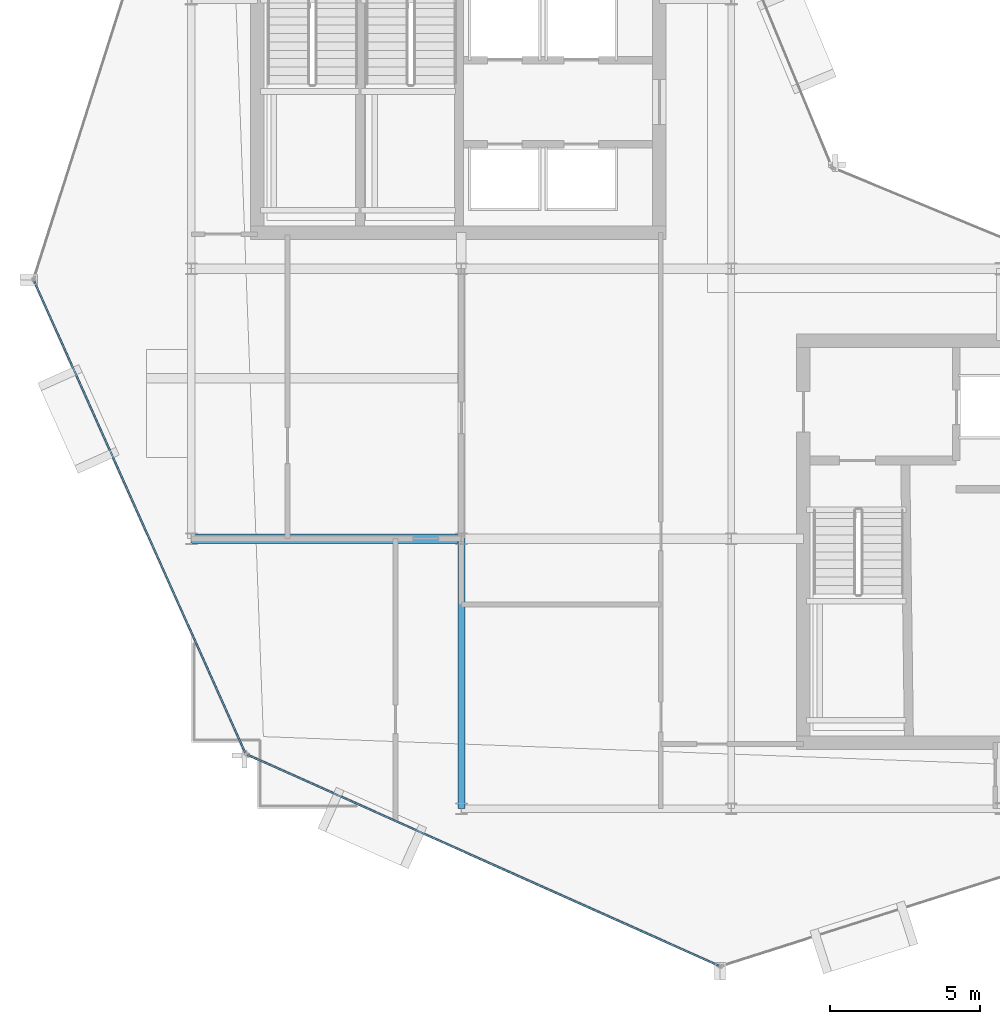
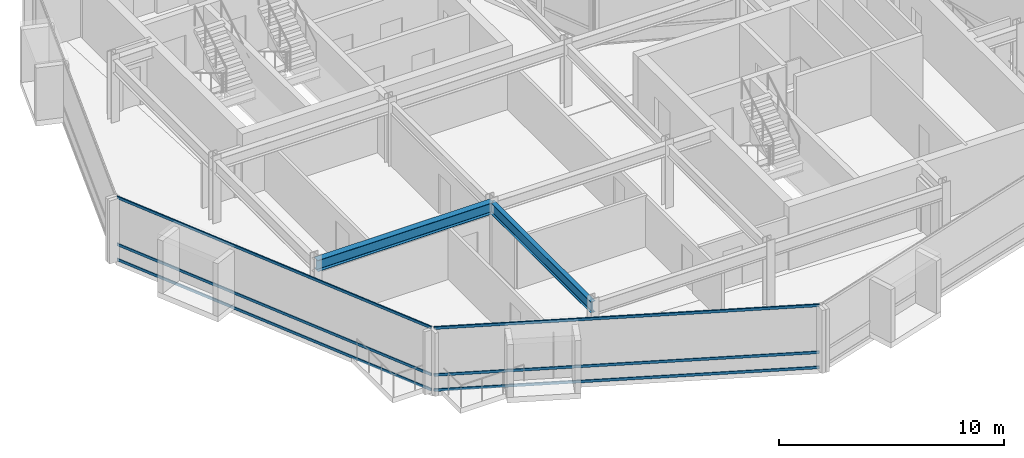
# One storey, part 3 of 19: 6 members, 2 beams, 2 elements without a shape of their own.
"""IFC4 building model written with IfcOpenShell, lengths in metres."""

from ifc_helpers import new_model, si_unit, direction, frame, origin, origin_2d, place, context, subcontext, project, spatial, hollow_rectangle, i_section, extrude, material, layer, layer_set, material_profile, profile_set, type_object, element, aggregate, save


model = new_model("IFC4")

# Units and contexts
model_context = context("Model", 3, precision=1e-05, world=origin(), true_north=direction((0.0, 1.0)))
body_context = subcontext(model_context, "Body", "Model", "MODEL_VIEW")
ifc_project = project(units=[si_unit("LENGTHUNIT", "METRE"), si_unit("AREAUNIT", "SQUARE_METRE"), si_unit("VOLUMEUNIT", "CUBIC_METRE"), si_unit("PLANEANGLEUNIT", "RADIAN"), si_unit("MASSUNIT", "GRAM", prefix="KILO")], contexts=[model_context])

# Site, building, storey
site_placement = place(None, origin())
site = spatial("IfcSite", under=ifc_project, at=site_placement, CompositionType="ELEMENT")
building_placement = place(site_placement, origin())
building = spatial("IfcBuilding", under=site, at=building_placement, Name="Solvaryn Broadcast Tower", CompositionType="ELEMENT")
storey_placement = place(building_placement, frame((0.0, 0.0, 259.300048828125)))
storey = spatial("IfcBuildingStorey", under=building, at=storey_placement, Name="L65", CompositionType="ELEMENT", Elevation=259.300048828125)

# Beams
ifc_material_1 = material(Name="Steel ASTM A992 Grade 50", Category="steel")
ifc_material_profile_1 = material_profile(ifc_material_1, i_section(OverallWidth=0.323974609375, OverallDepth=0.611083984375, WebThickness=0.0126953125, FlangeThickness=0.01904296875, FilletRadius=0.014892578125, at=origin_2d()))
ifc_profile_set_1 = profile_set([ifc_material_profile_1], Name="Steel ASTM A992 Grade 50")
beam_type_1 = type_object("IfcBeamType", Name="BM-B1-W24X104", PredefinedType="BEAM", material=ifc_profile_set_1)
beam_1_placement = place(storey_placement, frame((9.0, 18.0, 3.114501953125), z_axis=(1.0, 0.0, 0.0), x_axis=(0.0, 1.0, 0.0)))
element("IfcBeam", 1, at=beam_1_placement, inside=storey, type_object=beam_type_1, Name="L65 Primary Beam X (9-18 @ Y=18)", PredefinedType="BEAM", context=body_context, shape_type="SweptSolid", body=[
    extrude(i_section(OverallWidth=0.323974609375, OverallDepth=0.611083984375, WebThickness=0.0126953125, FlangeThickness=0.01904296875, FilletRadius=0.014892578125, at=origin_2d()), origin(), (0.0, 0.0, 1.0), 9.0),
])
ifc_material_2 = material(Name="Steel ASTM A992 Grade 50", Category="steel")
ifc_material_profile_2 = material_profile(ifc_material_2, i_section(OverallWidth=0.22802734375, OverallDepth=0.60791015625, WebThickness=0.01123046875, FlangeThickness=0.017333984375, FilletRadius=0.014892578125, at=origin_2d()))
ifc_profile_set_2 = profile_set([ifc_material_profile_2], Name="Steel ASTM A992 Grade 50")
beam_type_2 = type_object("IfcBeamType", Name="BM-B2-W24X76", PredefinedType="BEAM", material=ifc_profile_set_2)
beam_2_placement = place(storey_placement, frame((18.0, 9.0, 3.115966796875), z_axis=(0.0, 1.0, 0.0), x_axis=(-1.0, 0.0, 0.0)))
element("IfcBeam", 2, at=beam_2_placement, inside=storey, type_object=beam_type_2, Name="L65 Primary Beam Y (9-18 @ X=18)", PredefinedType="BEAM", context=body_context, shape_type="SweptSolid", body=[
    extrude(i_section(OverallWidth=0.22802734375, OverallDepth=0.60791015625, WebThickness=0.01123046875, FlangeThickness=0.017333984375, FilletRadius=0.014892578125, at=origin_2d()), origin(), (0.0, 0.0, 1.0), 9.0),
])

# Curtain wall, members
ifc_material_3 = material(Name="Aluminium and Terracotta Unitised Curtain Wall", Category="masonry")
ifc_layer = layer(ifc_material_3, 0.199951171875)
ifc_layer_set = layer_set([ifc_layer], Name="CW-SYS2-LOWMID")
curtain_wall_type = type_object("IfcCurtainWallType", Name="CW-SYS2-LOWMID", PredefinedType="NOTDEFINED", material=ifc_layer_set)
curtain_wall_1_placement = place(storey_placement, origin())
curtain_wall_1 = element("IfcCurtainWall", 3, at=curtain_wall_1_placement, inside=storey, type_object=curtain_wall_type, Name="L65 Curtain Wall DR2", PredefinedType="NOTDEFINED")
ifc_material_4 = material(Name="Anodised Aluminium 6063-T6", Category="aluminium")
ifc_material_profile_3 = material_profile(ifc_material_4, hollow_rectangle(XDim=0.06494140625, YDim=0.14990234375, WallThickness=0.00390625, InnerFilletRadius=0.00390625, OuterFilletRadius=0.008056640625, at=origin_2d()))
ifc_profile_set_3 = profile_set([ifc_material_profile_3], Name="Anodised Aluminium 6063-T6")
member_type = type_object("IfcMemberType", Name="CW-TRN-150", PredefinedType="USERDEFINED", material=ifc_profile_set_3)
member_1_placement = place(storey_placement, frame((3.762451171875, 26.581298828125, 0.030029296875), z_axis=(0.408468080937, -0.912772604133, 0.0), x_axis=(0.912772604133, 0.408468080937, 0.0)))
member_1 = element("IfcMember", 4, at=member_1_placement, type_object=member_type, Name="CWS2 transom 1.1", ObjectType="TRANSOM", PredefinedType="USERDEFINED", context=body_context, shape_type="SweptSolid", body=[
    extrude(hollow_rectangle(XDim=0.06494140625, YDim=0.14990234375, WallThickness=0.00390625, InnerFilletRadius=0.00390625, OuterFilletRadius=0.008056640625, at=origin_2d()), origin(), (0.0, 0.0, 1.0), 17.210693359375),
])
member_2_placement = place(storey_placement, frame((3.762451171875, 26.581298828125, 0.849853515625), z_axis=(0.408468080937, -0.912772604133, 0.0), x_axis=(0.912772604133, 0.408468080937, 0.0)))
member_2 = element("IfcMember", 5, at=member_2_placement, type_object=member_type, Name="CWS2 transom 1.2", ObjectType="TRANSOM", PredefinedType="USERDEFINED", context=body_context, shape_type="SweptSolid", body=[
    extrude(hollow_rectangle(XDim=0.06494140625, YDim=0.14990234375, WallThickness=0.00390625, InnerFilletRadius=0.00390625, OuterFilletRadius=0.008056640625, at=origin_2d()), origin(), (0.0, 0.0, 1.0), 17.210693359375),
])
member_3_placement = place(storey_placement, frame((3.762451171875, 26.581298828125, 3.389892578125), z_axis=(0.408468080937, -0.912772604133, 0.0), x_axis=(0.912772604133, 0.408468080937, 0.0)))
member_3 = element("IfcMember", 6, at=member_3_placement, type_object=member_type, Name="CWS2 transom 1.3", ObjectType="TRANSOM", PredefinedType="USERDEFINED", context=body_context, shape_type="SweptSolid", body=[
    extrude(hollow_rectangle(XDim=0.06494140625, YDim=0.14990234375, WallThickness=0.00390625, InnerFilletRadius=0.00390625, OuterFilletRadius=0.008056640625, at=origin_2d()), origin(), (0.0, 0.0, 1.0), 17.210693359375),
])
aggregate(curtain_wall_1, [member_1, member_2, member_3])

curtain_wall_2_placement = place(storey_placement, origin())
curtain_wall_2 = element("IfcCurtainWall", 7, at=curtain_wall_2_placement, inside=storey, type_object=curtain_wall_type, Name="L65 Curtain Wall DR3", PredefinedType="NOTDEFINED")
member_4_placement = place(storey_placement, frame((10.871826171875, 10.79248046875, 0.030029296875), z_axis=(0.912772604133, -0.408468080937, 0.0), x_axis=(0.408468080937, 0.912772604133, 0.0)))
member_4 = element("IfcMember", 8, at=member_4_placement, type_object=member_type, Name="CWS2 transom 1.1", ObjectType="TRANSOM", PredefinedType="USERDEFINED", context=body_context, shape_type="SweptSolid", body=[
    extrude(hollow_rectangle(XDim=0.06494140625, YDim=0.14990234375, WallThickness=0.00390625, InnerFilletRadius=0.00390625, OuterFilletRadius=0.008056640625, at=origin_2d()), origin(), (0.0, 0.0, 1.0), 17.210693359375),
])
member_5_placement = place(storey_placement, frame((10.871826171875, 10.79248046875, 0.849853515625), z_axis=(0.912772604133, -0.408468080937, 0.0), x_axis=(0.408468080937, 0.912772604133, 0.0)))
member_5 = element("IfcMember", 9, at=member_5_placement, type_object=member_type, Name="CWS2 transom 1.2", ObjectType="TRANSOM", PredefinedType="USERDEFINED", context=body_context, shape_type="SweptSolid", body=[
    extrude(hollow_rectangle(XDim=0.06494140625, YDim=0.14990234375, WallThickness=0.00390625, InnerFilletRadius=0.00390625, OuterFilletRadius=0.008056640625, at=origin_2d()), origin(), (0.0, 0.0, 1.0), 17.210693359375),
])
member_6_placement = place(storey_placement, frame((10.871826171875, 10.79248046875, 3.389892578125), z_axis=(0.912772604133, -0.408468080937, 0.0), x_axis=(0.408468080937, 0.912772604133, 0.0)))
member_6 = element("IfcMember", 10, at=member_6_placement, type_object=member_type, Name="CWS2 transom 1.3", ObjectType="TRANSOM", PredefinedType="USERDEFINED", context=body_context, shape_type="SweptSolid", body=[
    extrude(hollow_rectangle(XDim=0.06494140625, YDim=0.14990234375, WallThickness=0.00390625, InnerFilletRadius=0.00390625, OuterFilletRadius=0.008056640625, at=origin_2d()), origin(), (0.0, 0.0, 1.0), 17.210693359375),
])
aggregate(curtain_wall_2, [member_4, member_5, member_6])

save(model, "model.ifc")
